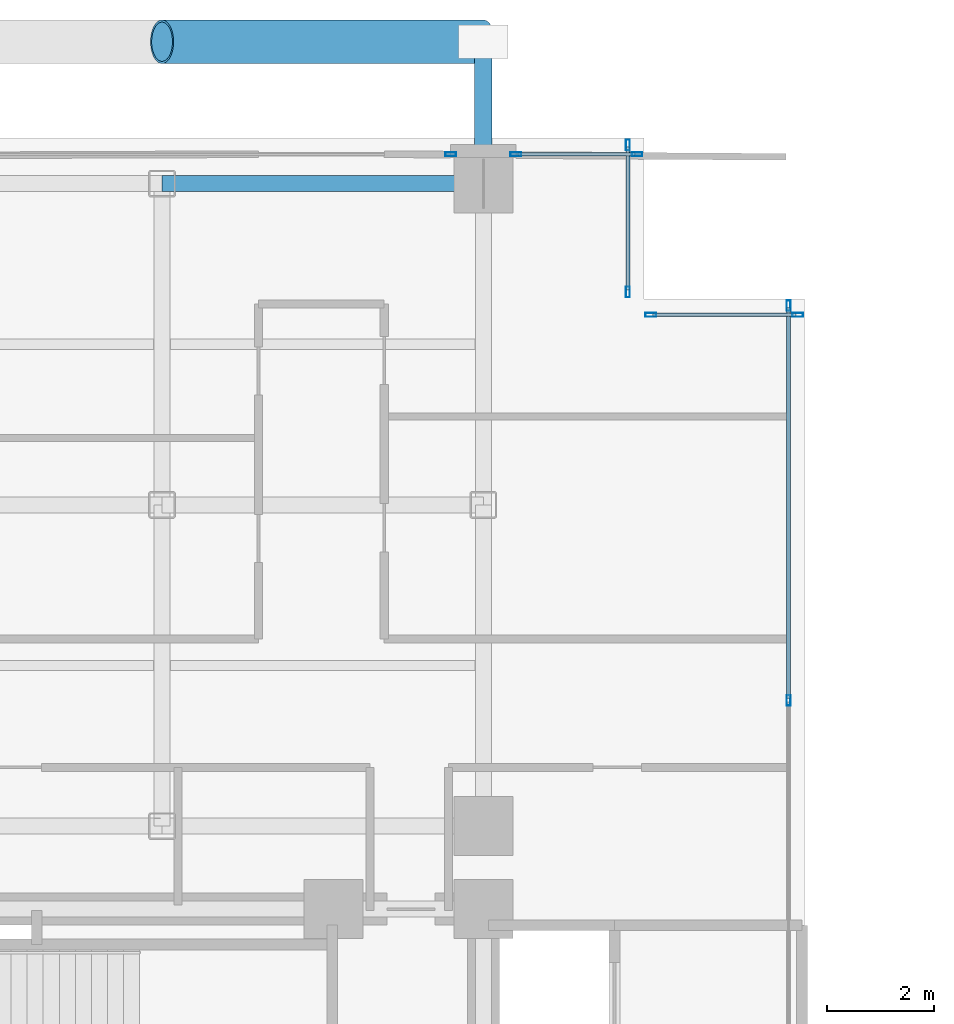
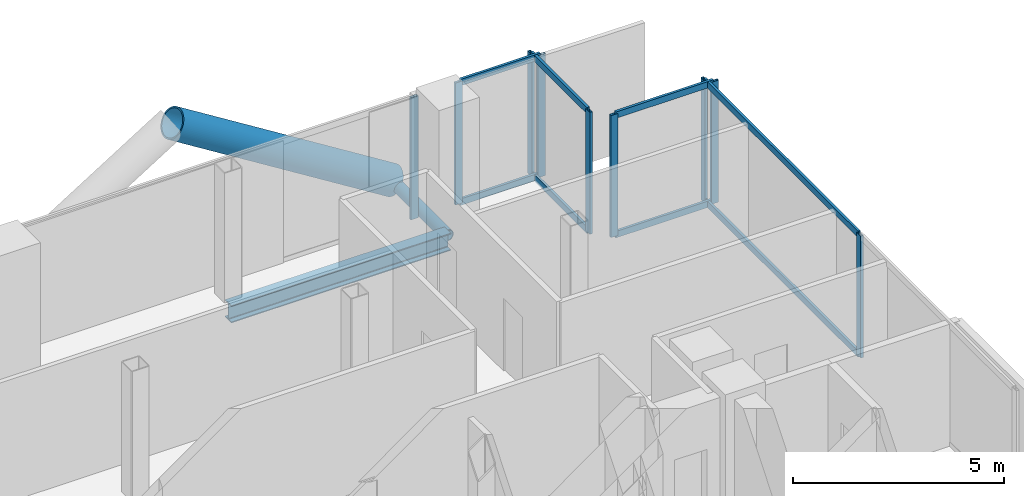
# One storey, part 17 of 28: 19 members, 1 beam, 5 elements without a shape of their own.
"""IFC4 building model written with IfcOpenShell, lengths in metres."""

from ifc_helpers import new_model, si_unit, direction, frame, origin, origin_2d, place, context, subcontext, project, spatial, hollow_rectangle, hollow_circle, i_section, extrude, material, layer, layer_set, material_profile, profile_set, type_object, element, aggregate, save


model = new_model("IFC4")

# Units and contexts
model_context = context("Model", 3, precision=1e-05, world=origin(), true_north=direction((0.0, 1.0)))
body_context = subcontext(model_context, "Body", "Model", "MODEL_VIEW")
ifc_project = project(units=[si_unit("LENGTHUNIT", "METRE"), si_unit("AREAUNIT", "SQUARE_METRE"), si_unit("VOLUMEUNIT", "CUBIC_METRE"), si_unit("PLANEANGLEUNIT", "RADIAN"), si_unit("MASSUNIT", "GRAM", prefix="KILO"), si_unit("THERMODYNAMICTEMPERATUREUNIT", "KELVIN"), si_unit("POWERUNIT", "WATT")], contexts=[model_context])

# Site, building, storey
site_placement = place(None, origin())
site = spatial("IfcSite", under=ifc_project, at=site_placement, CompositionType="ELEMENT")
building_placement = place(site_placement, origin())
building = spatial("IfcBuilding", under=site, at=building_placement, Name="Svarakhadi Broadcast Tower", CompositionType="ELEMENT")
storey_placement = place(building_placement, frame((0.0, 0.0, 103.35009765625)))
storey = spatial("IfcBuildingStorey", under=building, at=storey_placement, Name="L24", CompositionType="ELEMENT", Elevation=103.35009765625)

# Curtain wall, member
ifc_material_1 = material(Name="Anodised Bronze Aluminium AA 6063-T6", Category="aluminium")
ifc_layer = layer(ifc_material_1, 0.199951171875)
ifc_layer_set = layer_set([ifc_layer], Name="Anodised Bronze Aluminium AA 6063-T6")
curtain_wall_type = type_object("IfcCurtainWallType", Name="CW_Sys_03", PredefinedType="NOTDEFINED", material=ifc_layer_set)
curtain_wall_1_placement = place(storey_placement, origin())
curtain_wall_1 = element("IfcCurtainWall", 1, at=curtain_wall_1_placement, inside=storey, type_object=curtain_wall_type, Name="L24 Unitised Facade Curtain Wall 06 Bay 2", PredefinedType="NOTDEFINED")
ifc_material_profile_1 = material_profile(ifc_material_1, hollow_rectangle(XDim=0.074951171875, YDim=0.199951171875, WallThickness=0.005615234375, at=origin_2d()), Name="ALU MULLION 200x75x6")
ifc_profile_set_1 = profile_set([ifc_material_profile_1], Name="Anodised Bronze Aluminium AA 6063-T6")
member_type_1 = type_object("IfcMemberType", Name="CW_Sys_03_Mul", PredefinedType="MULLION", material=ifc_profile_set_1)
member_1_placement = place(storey_placement, frame((17.392578125, 41.699951171875, 0.0), z_axis=(0.0, 0.0, 1.0), x_axis=(0.0, 1.0, 0.0)))
member_1 = element("IfcMember", 2, at=member_1_placement, type_object=member_type_1, Name="CW-03 mullion 2", PredefinedType="MULLION", context=body_context, shape_type="SweptSolid", body=[
    extrude(hollow_rectangle(XDim=0.074951171875, YDim=0.199951171875, WallThickness=0.005615234375, at=origin_2d()), origin(), (0.0, 0.0, 1.0), 3.52490234375),
])
aggregate(curtain_wall_1, [member_1])

# Curtain wall, members
curtain_wall_2_placement = place(storey_placement, origin())
curtain_wall_2 = element("IfcCurtainWall", 3, at=curtain_wall_2_placement, inside=storey, type_object=curtain_wall_type, Name="L24 Unitised Facade Curtain Wall 06 Bay 3", PredefinedType="NOTDEFINED")
member_2_placement = place(storey_placement, frame((18.607421875, 41.699951171875, 0.0), z_axis=(0.0, 0.0, 1.0), x_axis=(0.0, 1.0, 0.0)))
member_2 = element("IfcMember", 4, at=member_2_placement, type_object=member_type_1, Name="CW-03 mullion 1", PredefinedType="MULLION", context=body_context, shape_type="SweptSolid", body=[
    extrude(hollow_rectangle(XDim=0.074951171875, YDim=0.199951171875, WallThickness=0.005615234375, at=origin_2d()), origin(), (0.0, 0.0, 1.0), 3.52490234375),
])
member_3_placement = place(storey_placement, frame((20.87255859375, 41.699951171875, 0.0), z_axis=(0.0, 0.0, 1.0), x_axis=(0.0, 1.0, 0.0)))
member_3 = element("IfcMember", 5, at=member_3_placement, type_object=member_type_1, Name="CW-03 mullion 2", PredefinedType="MULLION", context=body_context, shape_type="SweptSolid", body=[
    extrude(hollow_rectangle(XDim=0.074951171875, YDim=0.199951171875, WallThickness=0.005615234375, at=origin_2d()), origin(), (0.0, 0.0, 1.0), 3.52490234375),
])

curtain_wall_3_placement = place(storey_placement, origin())
curtain_wall_3 = element("IfcCurtainWall", 6, at=curtain_wall_3_placement, inside=storey, type_object=curtain_wall_type, Name="L24 Unitised Facade Curtain Wall 07", PredefinedType="NOTDEFINED")
member_4_placement = place(storey_placement, frame((20.699951171875, 41.87255859375, 0.0), z_axis=(0.0, 0.0, 1.0), x_axis=(1.0, 0.0, 0.0)))
member_4 = element("IfcMember", 7, at=member_4_placement, type_object=member_type_1, Name="CW-03 mullion 1", PredefinedType="MULLION", context=body_context, shape_type="SweptSolid", body=[
    extrude(hollow_rectangle(XDim=0.074951171875, YDim=0.199951171875, WallThickness=0.005615234375, at=origin_2d()), origin(), (0.0, 0.0, 1.0), 3.52490234375),
])
member_5_placement = place(storey_placement, frame((20.699951171875, 39.12744140625, 0.0), z_axis=(0.0, 0.0, 1.0), x_axis=(1.0, 0.0, 0.0)))
member_5 = element("IfcMember", 8, at=member_5_placement, type_object=member_type_1, Name="CW-03 mullion 2", PredefinedType="MULLION", context=body_context, shape_type="SweptSolid", body=[
    extrude(hollow_rectangle(XDim=0.074951171875, YDim=0.199951171875, WallThickness=0.005615234375, at=origin_2d()), origin(), (0.0, 0.0, 1.0), 3.52490234375),
])

curtain_wall_4_placement = place(storey_placement, origin())
curtain_wall_4 = element("IfcCurtainWall", 9, at=curtain_wall_4_placement, inside=storey, type_object=curtain_wall_type, Name="L24 Unitised Facade Curtain Wall 08", PredefinedType="NOTDEFINED")
member_6_placement = place(storey_placement, frame((21.12744140625, 38.699951171875, 0.0), z_axis=(0.0, 0.0, 1.0), x_axis=(0.0, 1.0, 0.0)))
member_6 = element("IfcMember", 10, at=member_6_placement, type_object=member_type_1, Name="CW-03 mullion 1", PredefinedType="MULLION", context=body_context, shape_type="SweptSolid", body=[
    extrude(hollow_rectangle(XDim=0.074951171875, YDim=0.199951171875, WallThickness=0.005615234375, at=origin_2d()), origin(), (0.0, 0.0, 1.0), 3.52490234375),
])
member_7_placement = place(storey_placement, frame((23.87255859375, 38.699951171875, 0.0), z_axis=(0.0, 0.0, 1.0), x_axis=(0.0, 1.0, 0.0)))
member_7 = element("IfcMember", 11, at=member_7_placement, type_object=member_type_1, Name="CW-03 mullion 2", PredefinedType="MULLION", context=body_context, shape_type="SweptSolid", body=[
    extrude(hollow_rectangle(XDim=0.074951171875, YDim=0.199951171875, WallThickness=0.005615234375, at=origin_2d()), origin(), (0.0, 0.0, 1.0), 3.52490234375),
])

curtain_wall_5_placement = place(storey_placement, origin())
curtain_wall_5 = element("IfcCurtainWall", 12, at=curtain_wall_5_placement, inside=storey, type_object=curtain_wall_type, Name="L24 Unitised Facade Curtain Wall 09", PredefinedType="NOTDEFINED")
member_8_placement = place(storey_placement, frame((23.699951171875, 38.87255859375, 0.0), z_axis=(0.0, 0.0, 1.0), x_axis=(1.0, 0.0, 0.0)))
member_8 = element("IfcMember", 13, at=member_8_placement, type_object=member_type_1, Name="CW-03 mullion 1", PredefinedType="MULLION", context=body_context, shape_type="SweptSolid", body=[
    extrude(hollow_rectangle(XDim=0.074951171875, YDim=0.199951171875, WallThickness=0.005615234375, at=origin_2d()), origin(), (0.0, 0.0, 1.0), 3.52490234375),
])
member_9_placement = place(storey_placement, frame((23.699951171875, 31.5, 0.0), z_axis=(0.0, 0.0, 1.0), x_axis=(1.0, 0.0, 0.0)))
member_9 = element("IfcMember", 14, at=member_9_placement, type_object=member_type_1, Name="CW-03 mullion 2", PredefinedType="MULLION", context=body_context, shape_type="SweptSolid", body=[
    extrude(hollow_rectangle(XDim=0.074951171875, YDim=0.199951171875, WallThickness=0.005615234375, at=origin_2d()), origin(), (0.0, 0.0, 1.0), 3.52490234375),
])

# Member
ifc_material_profile_2 = material_profile(ifc_material_1, hollow_rectangle(XDim=0.070068359375, YDim=0.18505859375, WallThickness=0.0048828125, at=origin_2d()), Name="ALU TRANSOM 185x70x5")
ifc_profile_set_2 = profile_set([ifc_material_profile_2], Name="Anodised Bronze Aluminium AA 6063-T6")
member_type_2 = type_object("IfcMemberType", Name="CW_Sys_03_Trn", PredefinedType="USERDEFINED", material=ifc_profile_set_2)
member_10_placement = place(storey_placement, frame((18.64501953125, 41.699951171875, 0.034912109375), z_axis=(1.0, 0.0, 0.0), x_axis=(0.0, 1.0, 0.0)))
member_10 = element("IfcMember", 15, at=member_10_placement, type_object=member_type_2, Name="CW-03 transom 1.1", ObjectType="TRANSOM", PredefinedType="USERDEFINED", context=body_context, shape_type="SweptSolid", body=[
    extrude(hollow_rectangle(XDim=0.070068359375, YDim=0.18505859375, WallThickness=0.0048828125, at=origin_2d()), origin(), (0.0, 0.0, 1.0), 2.18994140625),
])

member_11_placement = place(storey_placement, frame((18.64501953125, 41.699951171875, 3.489990234375), z_axis=(1.0, 0.0, 0.0), x_axis=(0.0, 1.0, 0.0)))
member_11 = element("IfcMember", 16, at=member_11_placement, type_object=member_type_2, Name="CW-03 transom 1.2", ObjectType="TRANSOM", PredefinedType="USERDEFINED", context=body_context, shape_type="SweptSolid", body=[
    extrude(hollow_rectangle(XDim=0.070068359375, YDim=0.18505859375, WallThickness=0.0048828125, at=origin_2d()), origin(), (0.0, 0.0, 1.0), 2.18994140625),
])

aggregate(curtain_wall_2, [member_2, member_3, member_10, member_11])

member_12_placement = place(storey_placement, frame((20.699951171875, 41.8349609375, 0.034912109375), z_axis=(0.0, -1.0, 0.0), x_axis=(1.0, 0.0, 0.0)))
member_12 = element("IfcMember", 17, at=member_12_placement, type_object=member_type_2, Name="CW-03 transom 1.1", ObjectType="TRANSOM", PredefinedType="USERDEFINED", context=body_context, shape_type="SweptSolid", body=[
    extrude(hollow_rectangle(XDim=0.070068359375, YDim=0.18505859375, WallThickness=0.0048828125, at=origin_2d()), origin(), (0.0, 0.0, 1.0), 2.669921875),
])

member_13_placement = place(storey_placement, frame((20.699951171875, 41.8349609375, 3.489990234375), z_axis=(0.0, -1.0, 0.0), x_axis=(1.0, 0.0, 0.0)))
member_13 = element("IfcMember", 18, at=member_13_placement, type_object=member_type_2, Name="CW-03 transom 1.2", ObjectType="TRANSOM", PredefinedType="USERDEFINED", context=body_context, shape_type="SweptSolid", body=[
    extrude(hollow_rectangle(XDim=0.070068359375, YDim=0.18505859375, WallThickness=0.0048828125, at=origin_2d()), origin(), (0.0, 0.0, 1.0), 2.669921875),
])

aggregate(curtain_wall_3, [member_4, member_5, member_12, member_13])

member_14_placement = place(storey_placement, frame((21.1650390625, 38.699951171875, 0.034912109375), z_axis=(1.0, 0.0, 0.0), x_axis=(0.0, 1.0, 0.0)))
member_14 = element("IfcMember", 19, at=member_14_placement, type_object=member_type_2, Name="CW-03 transom 1.1", ObjectType="TRANSOM", PredefinedType="USERDEFINED", context=body_context, shape_type="SweptSolid", body=[
    extrude(hollow_rectangle(XDim=0.070068359375, YDim=0.18505859375, WallThickness=0.0048828125, at=origin_2d()), origin(), (0.0, 0.0, 1.0), 2.669921875),
])

member_15_placement = place(storey_placement, frame((21.1650390625, 38.699951171875, 3.489990234375), z_axis=(1.0, 0.0, 0.0), x_axis=(0.0, 1.0, 0.0)))
member_15 = element("IfcMember", 20, at=member_15_placement, type_object=member_type_2, Name="CW-03 transom 1.2", ObjectType="TRANSOM", PredefinedType="USERDEFINED", context=body_context, shape_type="SweptSolid", body=[
    extrude(hollow_rectangle(XDim=0.070068359375, YDim=0.18505859375, WallThickness=0.0048828125, at=origin_2d()), origin(), (0.0, 0.0, 1.0), 2.669921875),
])

aggregate(curtain_wall_4, [member_6, member_7, member_14, member_15])

member_16_placement = place(storey_placement, frame((23.699951171875, 38.8349609375, 0.034912109375), z_axis=(0.0, -1.0, 0.0), x_axis=(1.0, 0.0, 0.0)))
member_16 = element("IfcMember", 21, at=member_16_placement, type_object=member_type_2, Name="CW-03 transom 1.1", ObjectType="TRANSOM", PredefinedType="USERDEFINED", context=body_context, shape_type="SweptSolid", body=[
    extrude(hollow_rectangle(XDim=0.070068359375, YDim=0.18505859375, WallThickness=0.0048828125, at=origin_2d()), origin(), (0.0, 0.0, 1.0), 7.29736328125),
])

member_17_placement = place(storey_placement, frame((23.699951171875, 38.8349609375, 3.489990234375), z_axis=(0.0, -1.0, 0.0), x_axis=(1.0, 0.0, 0.0)))
member_17 = element("IfcMember", 22, at=member_17_placement, type_object=member_type_2, Name="CW-03 transom 1.2", ObjectType="TRANSOM", PredefinedType="USERDEFINED", context=body_context, shape_type="SweptSolid", body=[
    extrude(hollow_rectangle(XDim=0.070068359375, YDim=0.18505859375, WallThickness=0.0048828125, at=origin_2d()), origin(), (0.0, 0.0, 1.0), 7.29736328125),
])

aggregate(curtain_wall_5, [member_8, member_9, member_16, member_17])

# Members
ifc_material_2 = material(Name="Steel S460ML (IS 2062 E450BR)", Category="steel")
ifc_material_profile_3 = material_profile(ifc_material_2, hollow_circle(Radius=0.406494140625, WallThickness=0.0400390625, at=origin_2d()), Name="CHS 813x40")
ifc_profile_set_3 = profile_set([ifc_material_profile_3], Name="Steel S460ML (IS 2062 E450BR)")
member_type_3 = type_object("IfcMemberType", Name="Exo_Brace_CHS813", PredefinedType="BRACE", material=ifc_profile_set_3)
member_18_placement = place(storey_placement, frame((18.0, 43.800048828125, -0.386962890625), z_axis=(-0.847998304005, 0.0, 0.529998940003), x_axis=(0.0, -1.0, 0.0)))
element("IfcMember", 23, at=member_18_placement, inside=storey, type_object=member_type_3, Name="L24 Exposed Bronze Exoskeleton Diagonal N11", PredefinedType="BRACE", context=body_context, shape_type="SweptSolid", body=[
    extrude(hollow_circle(Radius=0.406494140625, WallThickness=0.0400390625, at=origin_2d()), origin(), (0.0, 0.0, 1.0), 7.075439453125),
])
ifc_material_profile_4 = material_profile(ifc_material_2, hollow_circle(Radius=0.161865234375, WallThickness=0.01611328125, at=origin_2d()), Name="CHS 323.9x16")
ifc_profile_set_4 = profile_set([ifc_material_profile_4], Name="Steel S460ML (IS 2062 E450BR)")
member_type_4 = type_object("IfcMemberType", Name="Exo_Radial_Strut_Z2", PredefinedType="STRUT", material=ifc_profile_set_4)
member_19_placement = place(storey_placement, frame((18.0, 43.800048828125, -0.386962890625), z_axis=(0.0, -1.0, 0.0), x_axis=(1.0, 0.0, 0.0)))
element("IfcMember", 24, at=member_19_placement, inside=storey, type_object=member_type_4, Name="L24 Exoskeleton Radial Tie Strut N11", PredefinedType="STRUT", context=body_context, shape_type="SweptSolid", body=[
    extrude(hollow_circle(Radius=0.161865234375, WallThickness=0.01611328125, at=origin_2d()), origin(), (0.0, 0.0, 1.0), 2.650146484375),
])

# Beam
ifc_material_3 = material(Name="Steel S355J2 (IS 2062 E350C)", Category="steel")
ifc_material_profile_5 = material_profile(ifc_material_3, i_section(OverallWidth=0.300048828125, OverallDepth=0.5, WebThickness=0.014404296875, FlangeThickness=0.028076171875, FilletRadius=0.027099609375, at=origin_2d()), Name="WPB 500x300x187")
ifc_profile_set_5 = profile_set([ifc_material_profile_5], Name="Steel S355J2 (IS 2062 E350C)")
beam_type = type_object("IfcBeamType", Name="Girder_WPB500", PredefinedType="USERDEFINED", material=ifc_profile_set_5)
beam_placement = place(storey_placement, frame((12.0, 41.14990234375, -0.47509765625), z_axis=(1.0, 0.0, 0.0), x_axis=(0.0, 1.0, 0.0)))
element("IfcBeam", 25, at=beam_placement, inside=storey, type_object=beam_type, Name="L24 Primary E-W Girder G039", ObjectType="GIRDER", PredefinedType="USERDEFINED", context=body_context, shape_type="SweptSolid", body=[
    extrude(i_section(OverallWidth=0.300048828125, OverallDepth=0.5, WebThickness=0.014404296875, FlangeThickness=0.028076171875, FilletRadius=0.027099609375, at=origin_2d()), origin(), (0.0, 0.0, 1.0), 6.0),
])

save(model, "model.ifc")
